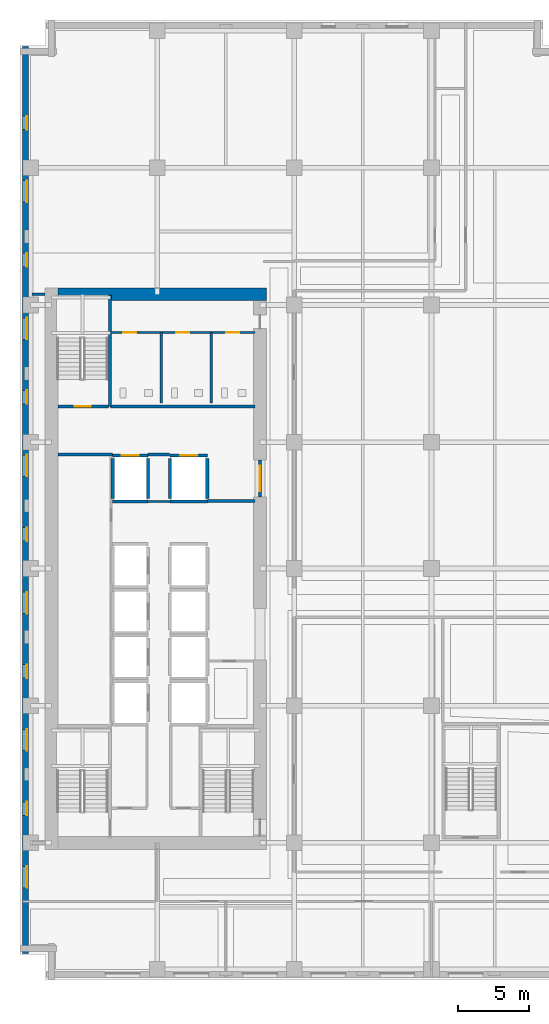
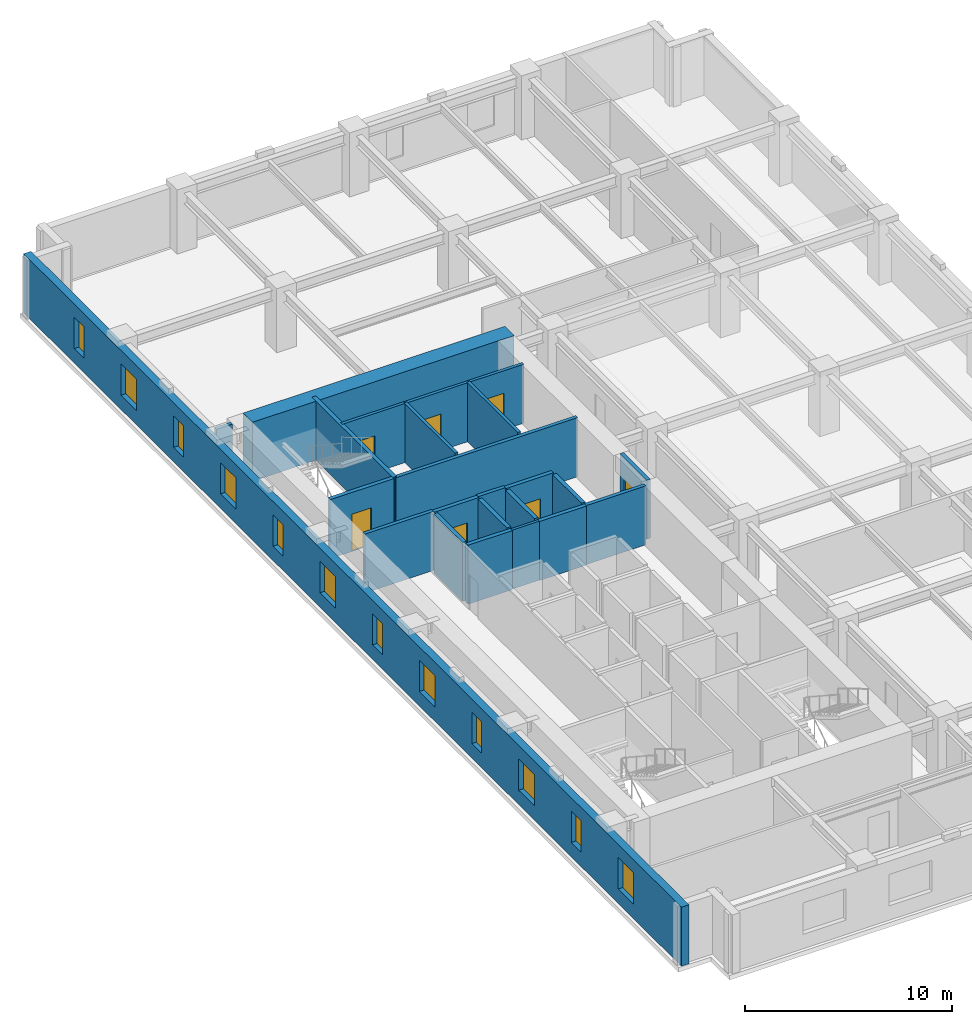
# One storey, part 6 of 15: 22 walls, 12 windows, 7 doors, 19 openings.
"""IFC4 building model written with IfcOpenShell, lengths in metres."""

from ifc_helpers import new_model, si_unit, direction, frame, frame_2d, origin, place, context, subcontext, project, spatial, rectangle, extrude, material, layer, layer_set, type_object, element, fill, save


model = new_model("IFC4")

# Units and contexts
model_context = context("Model", 3, precision=1e-05, world=origin(), true_north=direction((0.0, 1.0)))
body_context = subcontext(model_context, "Body", "Model", "MODEL_VIEW")
ifc_project = project(units=[si_unit("LENGTHUNIT", "METRE"), si_unit("AREAUNIT", "SQUARE_METRE"), si_unit("VOLUMEUNIT", "CUBIC_METRE"), si_unit("PLANEANGLEUNIT", "RADIAN"), si_unit("MASSUNIT", "GRAM", prefix="KILO")], contexts=[model_context])

# Site, building, storey
site_placement = place(None, origin())
site = spatial("IfcSite", under=ifc_project, at=site_placement, CompositionType="ELEMENT")
building_placement = place(site_placement, origin())
building = spatial("IfcBuilding", under=site, at=building_placement, Name="Norrvale University Quadrangle", CompositionType="ELEMENT")
storey_placement = place(building_placement, frame((0.0, 0.0, 92.60009765625)))
storey = spatial("IfcBuildingStorey", under=building, at=storey_placement, Name="L23", CompositionType="ELEMENT", Elevation=92.60009765625)

# Wall, openings, windows
ifc_material_1 = material(Name="Buff Norman Clay Brick Masonry", Category="masonry")
ifc_layer_1 = layer(ifc_material_1, 0.419921875, Name="Buff Norman Clay Brick Masonry")
ifc_layer_set_1 = layer_set([ifc_layer_1], Name="Buff Norman Clay Brick Masonry")
wall_type_1 = type_object("IfcWallType", Name="Wall Buff Brick 420", PredefinedType="SOLIDWALL", material=ifc_layer_set_1)
wall_1_placement = place(storey_placement, frame((0.389892578125, 65.360107421875, 0.0), z_axis=(0.0, 0.0, 1.0), x_axis=(0.0, -1.0, 0.0)))
wall_1 = element("IfcWall", 1, at=wall_1_placement, inside=storey, type_object=wall_type_1, Name="Exterior Brick Facade Wall L23-14.1", PredefinedType="SOLIDWALL", context=body_context, shape_type="SweptSolid", body=[
    extrude(rectangle(XDim=63.52001953125, YDim=0.419921875, at=frame_2d((31.760009765625, 0.0))), origin(), (0.0, 0.0, 1.0), 3.47998046875),
])
opening_1_placement = place(wall_1_placement, frame((4.885009765625, 0.0, 0.85009765625)))
opening_1 = element("IfcOpeningElement", 2, at=opening_1_placement, cuts=wall_1, Name="Opening W04", PredefinedType="OPENING", context=body_context, shape_type="SweptSolid", body=[
    extrude(rectangle(XDim=0.949951171875, YDim=1.85009765625, at=frame_2d((0.47509765625, 0.925048828125))), frame((0.0, 0.221923828125, 0.0), z_axis=(0.0, -1.0, 0.0), x_axis=(1.0, 0.0, 0.0)), (0.0, 0.0, 1.0), 0.44384765625),
])
opening_2_placement = place(wall_1_placement, frame((9.409912109375, 0.0, 0.85009765625)))
opening_2 = element("IfcOpeningElement", 3, at=opening_2_placement, cuts=wall_1, Name="Opening W03", PredefinedType="OPENING", context=body_context, shape_type="SweptSolid", body=[
    extrude(rectangle(XDim=1.5, YDim=1.85009765625, at=frame_2d((0.75, 0.925048828125))), frame((0.0, 0.221923828125, 0.0), z_axis=(0.0, -1.0, 0.0), x_axis=(1.0, 0.0, 0.0)), (0.0, 0.0, 1.0), 0.44384765625),
])
opening_3_placement = place(wall_1_placement, frame((14.485107421875, 0.0, 0.85009765625)))
opening_3 = element("IfcOpeningElement", 4, at=opening_3_placement, cuts=wall_1, Name="Opening W04", PredefinedType="OPENING", context=body_context, shape_type="SweptSolid", body=[
    extrude(rectangle(XDim=0.949951171875, YDim=1.85009765625, at=frame_2d((0.47509765625, 0.925048828125))), frame((0.0, 0.221923828125, 0.0), z_axis=(0.0, -1.0, 0.0), x_axis=(1.0, 0.0, 0.0)), (0.0, 0.0, 1.0), 0.44384765625),
])
opening_4_placement = place(wall_1_placement, frame((19.010009765625, 0.0, 0.85009765625)))
opening_4 = element("IfcOpeningElement", 5, at=opening_4_placement, cuts=wall_1, Name="Opening W03", PredefinedType="OPENING", context=body_context, shape_type="SweptSolid", body=[
    extrude(rectangle(XDim=1.5, YDim=1.85009765625, at=frame_2d((0.75, 0.925048828125))), frame((0.0, 0.221923828125, 0.0), z_axis=(0.0, -1.0, 0.0), x_axis=(1.0, 0.0, 0.0)), (0.0, 0.0, 1.0), 0.44384765625),
])
opening_5_placement = place(wall_1_placement, frame((24.0849609375, 0.0, 0.85009765625)))
opening_5 = element("IfcOpeningElement", 6, at=opening_5_placement, cuts=wall_1, Name="Opening W04", PredefinedType="OPENING", context=body_context, shape_type="SweptSolid", body=[
    extrude(rectangle(XDim=0.949951171875, YDim=1.85009765625, at=frame_2d((0.47509765625, 0.925048828125))), frame((0.0, 0.221923828125, 0.0), z_axis=(0.0, -1.0, 0.0), x_axis=(1.0, 0.0, 0.0)), (0.0, 0.0, 1.0), 0.44384765625),
])
opening_6_placement = place(wall_1_placement, frame((28.610107421875, 0.0, 0.85009765625)))
opening_6 = element("IfcOpeningElement", 7, at=opening_6_placement, cuts=wall_1, Name="Opening W03", PredefinedType="OPENING", context=body_context, shape_type="SweptSolid", body=[
    extrude(rectangle(XDim=1.5, YDim=1.85009765625, at=frame_2d((0.75, 0.925048828125))), frame((0.0, 0.221923828125, 0.0), z_axis=(0.0, -1.0, 0.0), x_axis=(1.0, 0.0, 0.0)), (0.0, 0.0, 1.0), 0.44384765625),
])
opening_7_placement = place(wall_1_placement, frame((33.68505859375, 0.0, 0.85009765625)))
opening_7 = element("IfcOpeningElement", 8, at=opening_7_placement, cuts=wall_1, Name="Opening W04", PredefinedType="OPENING", context=body_context, shape_type="SweptSolid", body=[
    extrude(rectangle(XDim=0.949951171875, YDim=1.85009765625, at=frame_2d((0.47509765625, 0.925048828125))), frame((0.0, 0.221923828125, 0.0), z_axis=(0.0, -1.0, 0.0), x_axis=(1.0, 0.0, 0.0)), (0.0, 0.0, 1.0), 0.44384765625),
])
opening_8_placement = place(wall_1_placement, frame((38.2099609375, 0.0, 0.85009765625)))
opening_8 = element("IfcOpeningElement", 9, at=opening_8_placement, cuts=wall_1, Name="Opening W03", PredefinedType="OPENING", context=body_context, shape_type="SweptSolid", body=[
    extrude(rectangle(XDim=1.5, YDim=1.85009765625, at=frame_2d((0.75, 0.925048828125))), frame((0.0, 0.221923828125, 0.0), z_axis=(0.0, -1.0, 0.0), x_axis=(1.0, 0.0, 0.0)), (0.0, 0.0, 1.0), 0.44384765625),
])
opening_9_placement = place(wall_1_placement, frame((43.284912109375, 0.0, 0.85009765625)))
opening_9 = element("IfcOpeningElement", 10, at=opening_9_placement, cuts=wall_1, Name="Opening W04", PredefinedType="OPENING", context=body_context, shape_type="SweptSolid", body=[
    extrude(rectangle(XDim=0.949951171875, YDim=1.85009765625, at=frame_2d((0.47509765625, 0.925048828125))), frame((0.0, 0.221923828125, 0.0), z_axis=(0.0, -1.0, 0.0), x_axis=(1.0, 0.0, 0.0)), (0.0, 0.0, 1.0), 0.44384765625),
])
opening_10_placement = place(wall_1_placement, frame((47.81005859375, 0.0, 0.85009765625)))
opening_10 = element("IfcOpeningElement", 11, at=opening_10_placement, cuts=wall_1, Name="Opening W03", PredefinedType="OPENING", context=body_context, shape_type="SweptSolid", body=[
    extrude(rectangle(XDim=1.5, YDim=1.85009765625, at=frame_2d((0.75, 0.925048828125))), frame((0.0, 0.221923828125, 0.0), z_axis=(0.0, -1.0, 0.0), x_axis=(1.0, 0.0, 0.0)), (0.0, 0.0, 1.0), 0.44384765625),
])
opening_11_placement = place(wall_1_placement, frame((52.885009765625, 0.0, 0.85009765625)))
opening_11 = element("IfcOpeningElement", 12, at=opening_11_placement, cuts=wall_1, Name="Opening W04", PredefinedType="OPENING", context=body_context, shape_type="SweptSolid", body=[
    extrude(rectangle(XDim=0.949951171875, YDim=1.85009765625, at=frame_2d((0.47509765625, 0.925048828125))), frame((0.0, 0.221923828125, 0.0), z_axis=(0.0, -1.0, 0.0), x_axis=(1.0, 0.0, 0.0)), (0.0, 0.0, 1.0), 0.44384765625),
])
opening_12_placement = place(wall_1_placement, frame((57.409912109375, 0.0, 0.85009765625)))
opening_12 = element("IfcOpeningElement", 13, at=opening_12_placement, cuts=wall_1, Name="Opening W03", PredefinedType="OPENING", context=body_context, shape_type="SweptSolid", body=[
    extrude(rectangle(XDim=1.5, YDim=1.85009765625, at=frame_2d((0.75, 0.925048828125))), frame((0.0, 0.221923828125, 0.0), z_axis=(0.0, -1.0, 0.0), x_axis=(1.0, 0.0, 0.0)), (0.0, 0.0, 1.0), 0.44384765625),
])
ifc_material_2 = material(Name="Triple Low-E Argon Glazing", Category="glass")
window_type_1 = type_object("IfcWindowType", Name="Window Narrow Pier 950x2300", PartitioningType="SINGLE_PANEL", PredefinedType="WINDOW", material=ifc_material_2)
window_1_placement = place(opening_1_placement, origin())
window_1 = element("IfcWindow", 14, at=window_1_placement, inside=storey, type_object=window_type_1, Name="Window Narrow Pier 950x2300 WIN-L23-E14-1-01", OverallHeight=1.85009765625, OverallWidth=0.949951171875, PartitioningType="SINGLE_PANEL", PredefinedType="WINDOW", context=body_context, shape_type="SweptSolid", body=[
    extrude(rectangle(XDim=0.949951171875, YDim=1.85009765625, at=frame_2d((0.47509765625, 0.925048828125))), frame((0.0, 0.110107421875, 0.0), z_axis=(0.0, -1.0, 0.0), x_axis=(1.0, 0.0, 0.0)), (0.0, 0.0, 1.0), 0.06005859375),
])
fill(opening_1, window_1)
window_2_placement = place(opening_3_placement, origin())
window_2 = element("IfcWindow", 15, at=window_2_placement, inside=storey, type_object=window_type_1, Name="Window Narrow Pier 950x2300 WIN-L23-E14-1-03", OverallHeight=1.85009765625, OverallWidth=0.949951171875, PartitioningType="SINGLE_PANEL", PredefinedType="WINDOW", context=body_context, shape_type="SweptSolid", body=[
    extrude(rectangle(XDim=0.949951171875, YDim=1.85009765625, at=frame_2d((0.47509765625, 0.925048828125))), frame((0.0, 0.110107421875, 0.0), z_axis=(0.0, -1.0, 0.0), x_axis=(1.0, 0.0, 0.0)), (0.0, 0.0, 1.0), 0.06005859375),
])
fill(opening_3, window_2)
window_3_placement = place(opening_5_placement, origin())
window_3 = element("IfcWindow", 16, at=window_3_placement, inside=storey, type_object=window_type_1, Name="Window Narrow Pier 950x2300 WIN-L23-E14-1-05", OverallHeight=1.85009765625, OverallWidth=0.949951171875, PartitioningType="SINGLE_PANEL", PredefinedType="WINDOW", context=body_context, shape_type="SweptSolid", body=[
    extrude(rectangle(XDim=0.949951171875, YDim=1.85009765625, at=frame_2d((0.47509765625, 0.925048828125))), frame((0.0, 0.110107421875, 0.0), z_axis=(0.0, -1.0, 0.0), x_axis=(1.0, 0.0, 0.0)), (0.0, 0.0, 1.0), 0.06005859375),
])
fill(opening_5, window_3)
window_4_placement = place(opening_7_placement, origin())
window_4 = element("IfcWindow", 17, at=window_4_placement, inside=storey, type_object=window_type_1, Name="Window Narrow Pier 950x2300 WIN-L23-E14-1-07", OverallHeight=1.85009765625, OverallWidth=0.949951171875, PartitioningType="SINGLE_PANEL", PredefinedType="WINDOW", context=body_context, shape_type="SweptSolid", body=[
    extrude(rectangle(XDim=0.949951171875, YDim=1.85009765625, at=frame_2d((0.47509765625, 0.925048828125))), frame((0.0, 0.110107421875, 0.0), z_axis=(0.0, -1.0, 0.0), x_axis=(1.0, 0.0, 0.0)), (0.0, 0.0, 1.0), 0.06005859375),
])
fill(opening_7, window_4)
window_5_placement = place(opening_9_placement, origin())
window_5 = element("IfcWindow", 18, at=window_5_placement, inside=storey, type_object=window_type_1, Name="Window Narrow Pier 950x2300 WIN-L23-E14-1-09", OverallHeight=1.85009765625, OverallWidth=0.949951171875, PartitioningType="SINGLE_PANEL", PredefinedType="WINDOW", context=body_context, shape_type="SweptSolid", body=[
    extrude(rectangle(XDim=0.949951171875, YDim=1.85009765625, at=frame_2d((0.47509765625, 0.925048828125))), frame((0.0, 0.110107421875, 0.0), z_axis=(0.0, -1.0, 0.0), x_axis=(1.0, 0.0, 0.0)), (0.0, 0.0, 1.0), 0.06005859375),
])
fill(opening_9, window_5)
window_6_placement = place(opening_11_placement, origin())
window_6 = element("IfcWindow", 19, at=window_6_placement, inside=storey, type_object=window_type_1, Name="Window Narrow Pier 950x2300 WIN-L23-E14-1-11", OverallHeight=1.85009765625, OverallWidth=0.949951171875, PartitioningType="SINGLE_PANEL", PredefinedType="WINDOW", context=body_context, shape_type="SweptSolid", body=[
    extrude(rectangle(XDim=0.949951171875, YDim=1.85009765625, at=frame_2d((0.47509765625, 0.925048828125))), frame((0.0, 0.110107421875, 0.0), z_axis=(0.0, -1.0, 0.0), x_axis=(1.0, 0.0, 0.0)), (0.0, 0.0, 1.0), 0.06005859375),
])
fill(opening_11, window_6)
window_type_2 = type_object("IfcWindowType", Name="Window Studio 1500x2300", PartitioningType="DOUBLE_PANEL_VERTICAL", PredefinedType="WINDOW", material=ifc_material_2)
window_7_placement = place(opening_2_placement, origin())
window_7 = element("IfcWindow", 20, at=window_7_placement, inside=storey, type_object=window_type_2, Name="Window Studio 1500x2300 WIN-L23-E14-1-02", OverallHeight=1.85009765625, OverallWidth=1.5, PartitioningType="DOUBLE_PANEL_VERTICAL", PredefinedType="WINDOW", context=body_context, shape_type="SweptSolid", body=[
    extrude(rectangle(XDim=1.5, YDim=1.85009765625, at=frame_2d((0.75, 0.925048828125))), frame((0.0, 0.110107421875, 0.0), z_axis=(0.0, -1.0, 0.0), x_axis=(1.0, 0.0, 0.0)), (0.0, 0.0, 1.0), 0.06005859375),
])
fill(opening_2, window_7)
window_8_placement = place(opening_4_placement, origin())
window_8 = element("IfcWindow", 21, at=window_8_placement, inside=storey, type_object=window_type_2, Name="Window Studio 1500x2300 WIN-L23-E14-1-04", OverallHeight=1.85009765625, OverallWidth=1.5, PartitioningType="DOUBLE_PANEL_VERTICAL", PredefinedType="WINDOW", context=body_context, shape_type="SweptSolid", body=[
    extrude(rectangle(XDim=1.5, YDim=1.85009765625, at=frame_2d((0.75, 0.925048828125))), frame((0.0, 0.110107421875, 0.0), z_axis=(0.0, -1.0, 0.0), x_axis=(1.0, 0.0, 0.0)), (0.0, 0.0, 1.0), 0.06005859375),
])
fill(opening_4, window_8)
window_9_placement = place(opening_6_placement, origin())
window_9 = element("IfcWindow", 22, at=window_9_placement, inside=storey, type_object=window_type_2, Name="Window Studio 1500x2300 WIN-L23-E14-1-06", OverallHeight=1.85009765625, OverallWidth=1.5, PartitioningType="DOUBLE_PANEL_VERTICAL", PredefinedType="WINDOW", context=body_context, shape_type="SweptSolid", body=[
    extrude(rectangle(XDim=1.5, YDim=1.85009765625, at=frame_2d((0.75, 0.925048828125))), frame((0.0, 0.110107421875, 0.0), z_axis=(0.0, -1.0, 0.0), x_axis=(1.0, 0.0, 0.0)), (0.0, 0.0, 1.0), 0.06005859375),
])
fill(opening_6, window_9)
window_10_placement = place(opening_8_placement, origin())
window_10 = element("IfcWindow", 23, at=window_10_placement, inside=storey, type_object=window_type_2, Name="Window Studio 1500x2300 WIN-L23-E14-1-08", OverallHeight=1.85009765625, OverallWidth=1.5, PartitioningType="DOUBLE_PANEL_VERTICAL", PredefinedType="WINDOW", context=body_context, shape_type="SweptSolid", body=[
    extrude(rectangle(XDim=1.5, YDim=1.85009765625, at=frame_2d((0.75, 0.925048828125))), frame((0.0, 0.110107421875, 0.0), z_axis=(0.0, -1.0, 0.0), x_axis=(1.0, 0.0, 0.0)), (0.0, 0.0, 1.0), 0.06005859375),
])
fill(opening_8, window_10)
window_11_placement = place(opening_10_placement, origin())
window_11 = element("IfcWindow", 24, at=window_11_placement, inside=storey, type_object=window_type_2, Name="Window Studio 1500x2300 WIN-L23-E14-1-10", OverallHeight=1.85009765625, OverallWidth=1.5, PartitioningType="DOUBLE_PANEL_VERTICAL", PredefinedType="WINDOW", context=body_context, shape_type="SweptSolid", body=[
    extrude(rectangle(XDim=1.5, YDim=1.85009765625, at=frame_2d((0.75, 0.925048828125))), frame((0.0, 0.110107421875, 0.0), z_axis=(0.0, -1.0, 0.0), x_axis=(1.0, 0.0, 0.0)), (0.0, 0.0, 1.0), 0.06005859375),
])
fill(opening_10, window_11)
window_12_placement = place(opening_12_placement, origin())
window_12 = element("IfcWindow", 25, at=window_12_placement, inside=storey, type_object=window_type_2, Name="Window Studio 1500x2300 WIN-L23-E14-1-12", OverallHeight=1.85009765625, OverallWidth=1.5, PartitioningType="DOUBLE_PANEL_VERTICAL", PredefinedType="WINDOW", context=body_context, shape_type="SweptSolid", body=[
    extrude(rectangle(XDim=1.5, YDim=1.85009765625, at=frame_2d((0.75, 0.925048828125))), frame((0.0, 0.110107421875, 0.0), z_axis=(0.0, -1.0, 0.0), x_axis=(1.0, 0.0, 0.0)), (0.0, 0.0, 1.0), 0.06005859375),
])
fill(opening_12, window_12)

# Walls
ifc_material_3 = material(Name="Concrete C80/95", Category="concrete")
ifc_layer_2 = layer(ifc_material_3, 0.89990234375, Name="Concrete C80/95")
ifc_layer_set_2 = layer_set([ifc_layer_2], Name="Concrete C80/95")
wall_type_2 = type_object("IfcWallType", Name="Wall Core 900", PredefinedType="SHEAR", material=ifc_layer_set_2)
wall_2_placement = place(storey_placement, frame((2.64990234375, 48.0, 0.0), z_axis=(0.0, 0.0, 1.0), x_axis=(1.0, 0.0, 0.0)))
element("IfcWall", 26, at=wall_2_placement, inside=storey, type_object=wall_type_2, Name="Tower Core Shear Wall L23-N", PredefinedType="SHEAR", context=body_context, shape_type="SweptSolid", body=[
    extrude(rectangle(XDim=14.60009765625, YDim=0.89990234375, at=frame_2d((7.300048828125, 0.0))), origin(), (0.0, 0.0, 1.0), 3.47998046875),
])
ifc_material_4 = material(Name="Fire-Rated Gypsum Stud Partition")
ifc_layer_3 = layer(ifc_material_4, 0.14990234375, Name="Fire-Rated Gypsum Stud Partition")
ifc_layer_set_3 = layer_set([ifc_layer_3], Name="Fire-Rated Gypsum Stud Partition")
wall_type_3 = type_object("IfcWallType", Name="Wall Gypsum Corridor 150", PredefinedType="PARTITIONING", material=ifc_layer_set_3)
wall_3_placement = place(storey_placement, frame((8.965087890625, 33.489990234375, 0.0), z_axis=(0.0, 0.0, 1.0), x_axis=(1.0, 0.0, 0.0)))
element("IfcWall", 27, at=wall_3_placement, inside=storey, type_object=wall_type_3, Name="Interior Partition WL-L23-LL3", PredefinedType="PARTITIONING", context=body_context, shape_type="SweptSolid", body=[
    extrude(rectangle(XDim=1.52001953125, YDim=0.14990234375, at=frame_2d((0.760009765625, 0.0))), origin(), (0.0, 0.0, 1.0), 3.47998046875),
])

# Wall, openings, doors
ifc_material_5 = material(Name="Sanitary Chase Gypsum Partition")
ifc_layer_4 = layer(ifc_material_5, 0.1650390625, Name="Sanitary Chase Gypsum Partition")
ifc_layer_set_4 = layer_set([ifc_layer_4], Name="Sanitary Chase Gypsum Partition")
wall_type_4 = type_object("IfcWallType", Name="Wall Gypsum Sanitary 165", PredefinedType="PLUMBINGWALL", material=ifc_layer_set_4)
wall_4_placement = place(storey_placement, frame((6.320068359375, 45.320068359375, 0.0), z_axis=(0.0, 0.0, 1.0), x_axis=(1.0, 0.0, 0.0)))
wall_4 = element("IfcWall", 28, at=wall_4_placement, inside=storey, type_object=wall_type_4, Name="Interior Partition WL-L23-WCN", PredefinedType="PLUMBINGWALL", context=body_context, shape_type="SweptSolid", body=[
    extrude(rectangle(XDim=10.1298828125, YDim=0.1650390625, at=frame_2d((5.06494140625, 0.0))), origin(), (0.0, 0.0, 1.0), 3.47998046875),
])
opening_13_placement = place(wall_4_placement, frame((0.89990234375, 0.0, 0.0)))
opening_13 = element("IfcOpeningElement", 29, at=opening_13_placement, cuts=wall_4, Name="Opening D08", PredefinedType="OPENING", context=body_context, shape_type="SweptSolid", body=[
    extrude(rectangle(XDim=0.919921875, YDim=2.14990234375, at=frame_2d((0.4599609375, 1.074951171875))), frame((0.0, 0.094482421875, 0.0), z_axis=(0.0, -1.0, 0.0), x_axis=(1.0, 0.0, 0.0)), (0.0, 0.0, 1.0), 0.18896484375),
])
opening_14_placement = place(wall_4_placement, frame((4.60009765625, 0.0, 0.0)))
opening_14 = element("IfcOpeningElement", 30, at=opening_14_placement, cuts=wall_4, Name="Opening D08", PredefinedType="OPENING", context=body_context, shape_type="SweptSolid", body=[
    extrude(rectangle(XDim=0.919921875, YDim=2.14990234375, at=frame_2d((0.4599609375, 1.074951171875))), frame((0.0, 0.094482421875, 0.0), z_axis=(0.0, -1.0, 0.0), x_axis=(1.0, 0.0, 0.0)), (0.0, 0.0, 1.0), 0.18896484375),
])
opening_15_placement = place(wall_4_placement, frame((8.10009765625, 0.0, 0.0)))
opening_15 = element("IfcOpeningElement", 31, at=opening_15_placement, cuts=wall_4, Name="Opening D08", PredefinedType="OPENING", context=body_context, shape_type="SweptSolid", body=[
    extrude(rectangle(XDim=0.919921875, YDim=2.14990234375, at=frame_2d((0.4599609375, 1.074951171875))), frame((0.0, 0.094482421875, 0.0), z_axis=(0.0, -1.0, 0.0), x_axis=(1.0, 0.0, 0.0)), (0.0, 0.0, 1.0), 0.18896484375),
])
ifc_material_6 = material(Name="Laminate Washroom Door", Category="wood")
door_type_1 = type_object("IfcDoorType", Name="Door Washroom 920x2150", OperationType="NOTDEFINED", PredefinedType="DOOR", material=ifc_material_6)
door_1_placement = place(opening_13_placement, origin())
door_1 = element("IfcDoor", 32, at=door_1_placement, inside=storey, type_object=door_type_1, Name="Door Washroom 920x2150 DR-L23-WC1", OperationType="SINGLE_SWING_LEFT", OverallHeight=2.14990234375, OverallWidth=0.919921875, PredefinedType="DOOR", context=body_context, shape_type="SweptSolid", body=[
    extrude(rectangle(XDim=0.919921875, YDim=2.14990234375, at=frame_2d((0.4599609375, 1.074951171875))), frame((0.0, 0.02490234375, 0.0), z_axis=(0.0, -1.0, 0.0), x_axis=(1.0, 0.0, 0.0)), (0.0, 0.0, 1.0), 0.050048828125),
])
fill(opening_13, door_1)
door_2_placement = place(opening_14_placement, origin())
door_2 = element("IfcDoor", 33, at=door_2_placement, inside=storey, type_object=door_type_1, Name="Door Washroom 920x2150 DR-L23-WC2", OperationType="SINGLE_SWING_RIGHT", OverallHeight=2.14990234375, OverallWidth=0.919921875, PredefinedType="DOOR", context=body_context, shape_type="SweptSolid", body=[
    extrude(rectangle(XDim=0.919921875, YDim=2.14990234375, at=frame_2d((0.4599609375, 1.074951171875))), frame((0.0, 0.02490234375, 0.0), z_axis=(0.0, -1.0, 0.0), x_axis=(1.0, 0.0, 0.0)), (0.0, 0.0, 1.0), 0.050048828125),
])
fill(opening_14, door_2)
door_3_placement = place(opening_15_placement, origin())
door_3 = element("IfcDoor", 34, at=door_3_placement, inside=storey, type_object=door_type_1, Name="Door Washroom 920x2150 DR-L23-WC3", OperationType="SINGLE_SWING_LEFT", OverallHeight=2.14990234375, OverallWidth=0.919921875, PredefinedType="DOOR", context=body_context, shape_type="SweptSolid", body=[
    extrude(rectangle(XDim=0.919921875, YDim=2.14990234375, at=frame_2d((0.4599609375, 1.074951171875))), frame((0.0, 0.02490234375, 0.0), z_axis=(0.0, -1.0, 0.0), x_axis=(1.0, 0.0, 0.0)), (0.0, 0.0, 1.0), 0.050048828125),
])
fill(opening_15, door_3)

# Walls
for number, where, z_axis, x_axis, name in (
    (35, (9.89990234375, 40.39990234375, 0.0), (0.0, 0.0, 1.0), (0.0, 1.0, 0.0), "Interior Partition WL-L23-WCM1"),
    (36, (13.39990234375, 40.39990234375, 0.0), (0.0, 0.0, 1.0), (0.0, 1.0, 0.0), "Interior Partition WL-L23-WCM2"),
):
    element("IfcWall", number, at=place(storey_placement, frame(where, z_axis=z_axis, x_axis=x_axis)), inside=storey, type_object=wall_type_4, Name=name, PredefinedType="PLUMBINGWALL", context=body_context, shape_type="SweptSolid", body=[
        extrude(rectangle(XDim=4.920166015625, YDim=0.1650390625, at=frame_2d((2.4599609375, 0.0))), origin(), (0.0, 0.0, 1.0), 3.47998046875),
    ])
ifc_material_7 = material(Name="Concrete Blockwork 20 MPa Rated Wall", Category="masonry")
ifc_layer_5 = layer(ifc_material_7, 0.199951171875, Name="Concrete Blockwork 20 MPa Rated Wall")
ifc_layer_set_5 = layer_set([ifc_layer_5], Name="Concrete Blockwork 20 MPa Rated Wall")
wall_type_5 = type_object("IfcWallType", Name="Wall Lobby 200", PredefinedType="SOLIDWALL", material=ifc_layer_set_5)
wall_5_placement = place(storey_placement, frame((2.64990234375, 36.780029296875, 0.0), z_axis=(0.0, 0.0, 1.0), x_axis=(1.0, 0.0, 0.0)))
element("IfcWall", 37, at=wall_5_placement, inside=storey, type_object=wall_type_5, Name="Interior Partition WL-L23-FF1", PredefinedType="SOLIDWALL", context=body_context, shape_type="SweptSolid", body=[
    extrude(rectangle(XDim=3.830078125, YDim=0.199951171875, at=frame_2d((1.9150390625, 0.0))), origin(), (0.0, 0.0, 1.0), 3.47998046875),
])
wall_6_placement = place(storey_placement, frame((8.969970703125, 36.780029296875, 0.0), z_axis=(0.0, 0.0, 1.0), x_axis=(1.0, 0.0, 0.0)))
element("IfcWall", 38, at=wall_6_placement, inside=storey, type_object=wall_type_5, Name="Interior Partition WL-L23-FF2", PredefinedType="SOLIDWALL", context=body_context, shape_type="SweptSolid", body=[
    extrude(rectangle(XDim=1.510009765625, YDim=0.199951171875, at=frame_2d((0.7548828125, 0.0))), origin(), (0.0, 0.0, 1.0), 3.47998046875),
])
wall_7_placement = place(storey_placement, frame((13.1201171875, 33.52001953125, 0.0), z_axis=(0.0, 0.0, 1.0), x_axis=(1.0, 0.0, 0.0)))
element("IfcWall", 39, at=wall_7_placement, inside=storey, type_object=wall_type_5, Name="Interior Partition WL-L23-FF3", PredefinedType="SOLIDWALL", context=body_context, shape_type="SweptSolid", body=[
    extrude(rectangle(XDim=3.329833984375, YDim=0.199951171875, at=frame_2d((1.6650390625, 0.0))), origin(), (0.0, 0.0, 1.0), 3.47998046875),
])
wall_8_placement = place(storey_placement, frame((6.320068359375, 40.139892578125, 0.0), z_axis=(0.0, 0.0, 1.0), x_axis=(1.0, 0.0, 0.0)))
element("IfcWall", 40, at=wall_8_placement, inside=storey, type_object=wall_type_5, Name="Interior Partition WL-L23-FF4", PredefinedType="SOLIDWALL", context=body_context, shape_type="SweptSolid", body=[
    extrude(rectangle(XDim=10.1298828125, YDim=0.199951171875, at=frame_2d((5.06494140625, 0.0))), origin(), (0.0, 0.0, 1.0), 3.47998046875),
])

# Wall, opening, door
wall_9_placement = place(storey_placement, frame((16.800048828125, 33.800048828125, 0.0), z_axis=(0.0, 0.0, 1.0), x_axis=(0.0, 1.0, 0.0)))
wall_9 = element("IfcWall", 41, at=wall_9_placement, inside=storey, type_object=wall_type_5, Name="Interior Partition WL-L23-FFP", PredefinedType="SOLIDWALL", context=body_context, shape_type="SweptSolid", body=[
    extrude(rectangle(XDim=2.599853515625, YDim=0.199951171875, at=frame_2d((1.2998046875, 0.0))), origin(), (0.0, 0.0, 1.0), 3.47998046875),
])
opening_16_placement = place(wall_9_placement, frame((0.39990234375, 0.0, 0.0)))
opening_16 = element("IfcOpeningElement", 42, at=opening_16_placement, cuts=wall_9, Name="Opening D03", PredefinedType="OPENING", context=body_context, shape_type="SweptSolid", body=[
    extrude(rectangle(XDim=1.800048828125, YDim=2.199951171875, at=frame_2d((0.89990234375, 1.10009765625))), frame((0.0, 0.112060546875, 0.0), z_axis=(0.0, -1.0, 0.0), x_axis=(1.0, 0.0, 0.0)), (0.0, 0.0, 1.0), 0.223876953125),
])
ifc_material_8 = material(Name="Hollow Steel 350W Fire Door", Category="steel")
door_type_2 = type_object("IfcDoorType", Name="Door Fire Lobby 1800x2200", OperationType="DOUBLE_DOOR_SINGLE_SWING", PredefinedType="DOOR", material=ifc_material_8)
door_4_placement = place(opening_16_placement, origin())
door_4 = element("IfcDoor", 43, at=door_4_placement, inside=storey, type_object=door_type_2, Name="Door Fire Lobby 1800x2200 DR-L23-FFP", OperationType="DOUBLE_DOOR_SINGLE_SWING", OverallHeight=2.199951171875, OverallWidth=1.800048828125, PredefinedType="DOOR", context=body_context, shape_type="SweptSolid", body=[
    extrude(rectangle(XDim=1.800048828125, YDim=2.199951171875, at=frame_2d((0.89990234375, 1.10009765625))), frame((0.0, 0.02490234375, 0.0), z_axis=(0.0, -1.0, 0.0), x_axis=(1.0, 0.0, 0.0)), (0.0, 0.0, 1.0), 0.050048828125),
])
fill(opening_16, door_4)

# Wall
wall_10_placement = place(storey_placement, frame((0.85009765625, 48.0, 0.0), z_axis=(0.0, 0.0, 1.0), x_axis=(1.0, 0.0, 0.0)))
element("IfcWall", 44, at=wall_10_placement, inside=storey, type_object=wall_type_5, Name="Interior Partition WL-L23-CWRET-N", PredefinedType="SOLIDWALL", context=body_context, shape_type="SweptSolid", body=[
    extrude(rectangle(XDim=0.89501953125, YDim=0.199951171875, at=frame_2d((0.447509765625, 0.0))), origin(), (0.0, 0.0, 1.0), 3.47998046875),
])

# Wall, opening, door
ifc_material_9 = material(Name="Concrete Blockwork 20 MPa Fire Shaft", Category="masonry")
ifc_layer_6 = layer(ifc_material_9, 0.219970703125, Name="Concrete Blockwork 20 MPa Fire Shaft")
ifc_layer_set_6 = layer_set([ifc_layer_6], Name="Concrete Blockwork 20 MPa Fire Shaft")
wall_type_6 = type_object("IfcWallType", Name="Wall Shaft 220", PredefinedType="SOLIDWALL", material=ifc_layer_set_6)
wall_11_placement = place(storey_placement, frame((2.64990234375, 40.139892578125, 0.0), z_axis=(0.0, 0.0, 1.0), x_axis=(1.0, 0.0, 0.0)))
wall_11 = element("IfcWall", 45, at=wall_11_placement, inside=storey, type_object=wall_type_6, Name="Stair ST-02 South Shaft Wall L23", PredefinedType="SOLIDWALL", context=body_context, shape_type="SweptSolid", body=[
    extrude(rectangle(XDim=3.550048828125, YDim=0.219970703125, at=frame_2d((1.77490234375, 0.0))), origin(), (0.0, 0.0, 1.0), 3.47998046875),
])
opening_17_placement = place(wall_11_placement, frame((1.199951171875, 0.0, 0.0)))
opening_17 = element("IfcOpeningElement", 46, at=opening_17_placement, cuts=wall_11, Name="Opening D02", PredefinedType="OPENING", context=body_context, shape_type="SweptSolid", body=[
    extrude(rectangle(XDim=1.10009765625, YDim=2.199951171875, at=frame_2d((0.550048828125, 1.10009765625))), frame((0.0, 0.1220703125, 0.0), z_axis=(0.0, -1.0, 0.0), x_axis=(1.0, 0.0, 0.0)), (0.0, 0.0, 1.0), 0.243896484375),
])
door_type_3 = type_object("IfcDoorType", Name="Door Stair Exit 1100x2200", OperationType="NOTDEFINED", PredefinedType="DOOR", material=ifc_material_8)
door_5_placement = place(opening_17_placement, origin())
door_5 = element("IfcDoor", 47, at=door_5_placement, inside=storey, type_object=door_type_3, Name="Door Stair Exit 1100x2200 DR-L23-ST02", OperationType="SINGLE_SWING_LEFT", OverallHeight=2.199951171875, OverallWidth=1.10009765625, PredefinedType="DOOR", context=body_context, shape_type="SweptSolid", body=[
    extrude(rectangle(XDim=1.10009765625, YDim=2.199951171875, at=frame_2d((0.550048828125, 1.10009765625))), frame((0.0, 0.02490234375, 0.0), z_axis=(0.0, -1.0, 0.0), x_axis=(1.0, 0.0, 0.0)), (0.0, 0.0, 1.0), 0.050048828125),
])
fill(opening_17, door_5)

# Walls
wall_12_placement = place(storey_placement, frame((6.31005859375, 40.139892578125, 0.0), z_axis=(0.0, 0.0, 1.0), x_axis=(0.0, 1.0, 0.0)))
element("IfcWall", 48, at=wall_12_placement, inside=storey, type_object=wall_type_6, Name="Stair ST-02 East Shaft Wall L23", PredefinedType="SOLIDWALL", context=body_context, shape_type="SweptSolid", body=[
    extrude(rectangle(XDim=7.81005859375, YDim=0.219970703125, at=frame_2d((3.905029296875, 0.0))), origin(), (0.0, 0.0, 1.0), 3.47998046875),
])
for number, where, z_axis, x_axis, name in (
    (49, (6.489990234375, 33.7099609375, 0.0), (0.0, 0.0, 1.0), (0.0, 1.0, 0.0), "Hoistway FFL-01 West Wall L23"),
    (50, (8.9599609375, 33.7099609375, 0.0), (0.0, 0.0, 1.0), (0.0, 1.0, 0.0), "Hoistway FFL-01 East Wall L23"),
):
    element("IfcWall", number, at=place(storey_placement, frame(where, z_axis=z_axis, x_axis=x_axis)), inside=storey, type_object=wall_type_6, Name=name, PredefinedType="SOLIDWALL", context=body_context, shape_type="SweptSolid", body=[
        extrude(rectangle(XDim=2.780029296875, YDim=0.219970703125, at=frame_2d((1.39013671875, 0.0))), origin(), (0.0, 0.0, 1.0), 3.47998046875),
    ])
wall_13_placement = place(storey_placement, frame((6.489990234375, 33.489990234375, 0.0), z_axis=(0.0, 0.0, 1.0), x_axis=(1.0, 0.0, 0.0)))
element("IfcWall", 51, at=wall_13_placement, inside=storey, type_object=wall_type_6, Name="Hoistway FFL-01 South Wall L23", PredefinedType="SOLIDWALL", context=body_context, shape_type="SweptSolid", body=[
    extrude(rectangle(XDim=2.469970703125, YDim=0.219970703125, at=frame_2d((1.23486328125, 0.0))), origin(), (0.0, 0.0, 1.0), 3.47998046875),
])

# Wall, opening, door
wall_14_placement = place(storey_placement, frame((6.489990234375, 36.7099609375, 0.0), z_axis=(0.0, 0.0, 1.0), x_axis=(1.0, 0.0, 0.0)))
wall_14 = element("IfcWall", 52, at=wall_14_placement, inside=storey, type_object=wall_type_6, Name="Hoistway FFL-01 North Wall L23", PredefinedType="SOLIDWALL", context=body_context, shape_type="SweptSolid", body=[
    extrude(rectangle(XDim=2.469970703125, YDim=0.219970703125, at=frame_2d((1.23486328125, 0.0))), origin(), (0.0, 0.0, 1.0), 3.47998046875),
])
opening_18_placement = place(wall_14_placement, frame((0.635009765625, 0.0, 0.0)))
opening_18 = element("IfcOpeningElement", 53, at=opening_18_placement, cuts=wall_14, Name="Opening LD2", PredefinedType="OPENING", context=body_context, shape_type="SweptSolid", body=[
    extrude(rectangle(XDim=1.199951171875, YDim=2.199951171875, at=frame_2d((0.60009765625, 1.10009765625))), frame((0.0, 0.1220703125, 0.0), z_axis=(0.0, -1.0, 0.0), x_axis=(1.0, 0.0, 0.0)), (0.0, 0.0, 1.0), 0.243896484375),
])
ifc_material_10 = material(Name="Stainless Steel 316L Firefighter Lift Door", Category="steel")
door_type_4 = type_object("IfcDoorType", Name="Door Fire Lift 1200x2200", OperationType="DOUBLE_DOOR_SLIDING", PredefinedType="DOOR", material=ifc_material_10)
door_6_placement = place(opening_18_placement, origin())
door_6 = element("IfcDoor", 54, at=door_6_placement, inside=storey, type_object=door_type_4, Name="Elevator Landing Door DR-L23-FFL-01", OperationType="DOUBLE_DOOR_SLIDING", OverallHeight=2.199951171875, OverallWidth=1.199951171875, PredefinedType="DOOR", context=body_context, shape_type="SweptSolid", body=[
    extrude(rectangle(XDim=1.199951171875, YDim=2.199951171875, at=frame_2d((0.60009765625, 1.10009765625))), frame((0.0, 0.02490234375, 0.0), z_axis=(0.0, -1.0, 0.0), x_axis=(1.0, 0.0, 0.0)), (0.0, 0.0, 1.0), 0.050048828125),
])
fill(opening_18, door_6)

# Walls
for number, where, z_axis, x_axis, name in (
    (55, (10.489990234375, 33.7099609375, 0.0), (0.0, 0.0, 1.0), (0.0, 1.0, 0.0), "Hoistway FFL-02 West Wall L23"),
    (56, (13.110107421875, 33.7099609375, 0.0), (0.0, 0.0, 1.0), (0.0, 1.0, 0.0), "Hoistway FFL-02 East Wall L23"),
):
    element("IfcWall", number, at=place(storey_placement, frame(where, z_axis=z_axis, x_axis=x_axis)), inside=storey, type_object=wall_type_6, Name=name, PredefinedType="SOLIDWALL", context=body_context, shape_type="SweptSolid", body=[
        extrude(rectangle(XDim=2.780029296875, YDim=0.219970703125, at=frame_2d((1.39013671875, 0.0))), origin(), (0.0, 0.0, 1.0), 3.47998046875),
    ])
wall_15_placement = place(storey_placement, frame((10.489990234375, 33.489990234375, 0.0), z_axis=(0.0, 0.0, 1.0), x_axis=(1.0, 0.0, 0.0)))
element("IfcWall", 57, at=wall_15_placement, inside=storey, type_object=wall_type_6, Name="Hoistway FFL-02 South Wall L23", PredefinedType="SOLIDWALL", context=body_context, shape_type="SweptSolid", body=[
    extrude(rectangle(XDim=2.6201171875, YDim=0.219970703125, at=frame_2d((1.31005859375, 0.0))), origin(), (0.0, 0.0, 1.0), 3.47998046875),
])

# Wall, opening, door
wall_16_placement = place(storey_placement, frame((10.489990234375, 36.7099609375, 0.0), z_axis=(0.0, 0.0, 1.0), x_axis=(1.0, 0.0, 0.0)))
wall_16 = element("IfcWall", 58, at=wall_16_placement, inside=storey, type_object=wall_type_6, Name="Hoistway FFL-02 North Wall L23", PredefinedType="SOLIDWALL", context=body_context, shape_type="SweptSolid", body=[
    extrude(rectangle(XDim=2.6201171875, YDim=0.219970703125, at=frame_2d((1.31005859375, 0.0))), origin(), (0.0, 0.0, 1.0), 3.47998046875),
])
opening_19_placement = place(wall_16_placement, frame((0.7099609375, 0.0, 0.0)))
opening_19 = element("IfcOpeningElement", 59, at=opening_19_placement, cuts=wall_16, Name="Opening LD2", PredefinedType="OPENING", context=body_context, shape_type="SweptSolid", body=[
    extrude(rectangle(XDim=1.199951171875, YDim=2.199951171875, at=frame_2d((0.60009765625, 1.10009765625))), frame((0.0, 0.1220703125, 0.0), z_axis=(0.0, -1.0, 0.0), x_axis=(1.0, 0.0, 0.0)), (0.0, 0.0, 1.0), 0.243896484375),
])
door_7_placement = place(opening_19_placement, origin())
door_7 = element("IfcDoor", 60, at=door_7_placement, inside=storey, type_object=door_type_4, Name="Elevator Landing Door DR-L23-FFL-02", OperationType="DOUBLE_DOOR_SLIDING", OverallHeight=2.199951171875, OverallWidth=1.199951171875, PredefinedType="DOOR", context=body_context, shape_type="SweptSolid", body=[
    extrude(rectangle(XDim=1.199951171875, YDim=2.199951171875, at=frame_2d((0.60009765625, 1.10009765625))), frame((0.0, 0.02490234375, 0.0), z_axis=(0.0, -1.0, 0.0), x_axis=(1.0, 0.0, 0.0)), (0.0, 0.0, 1.0), 0.050048828125),
])
fill(opening_19, door_7)

save(model, "model.ifc")
